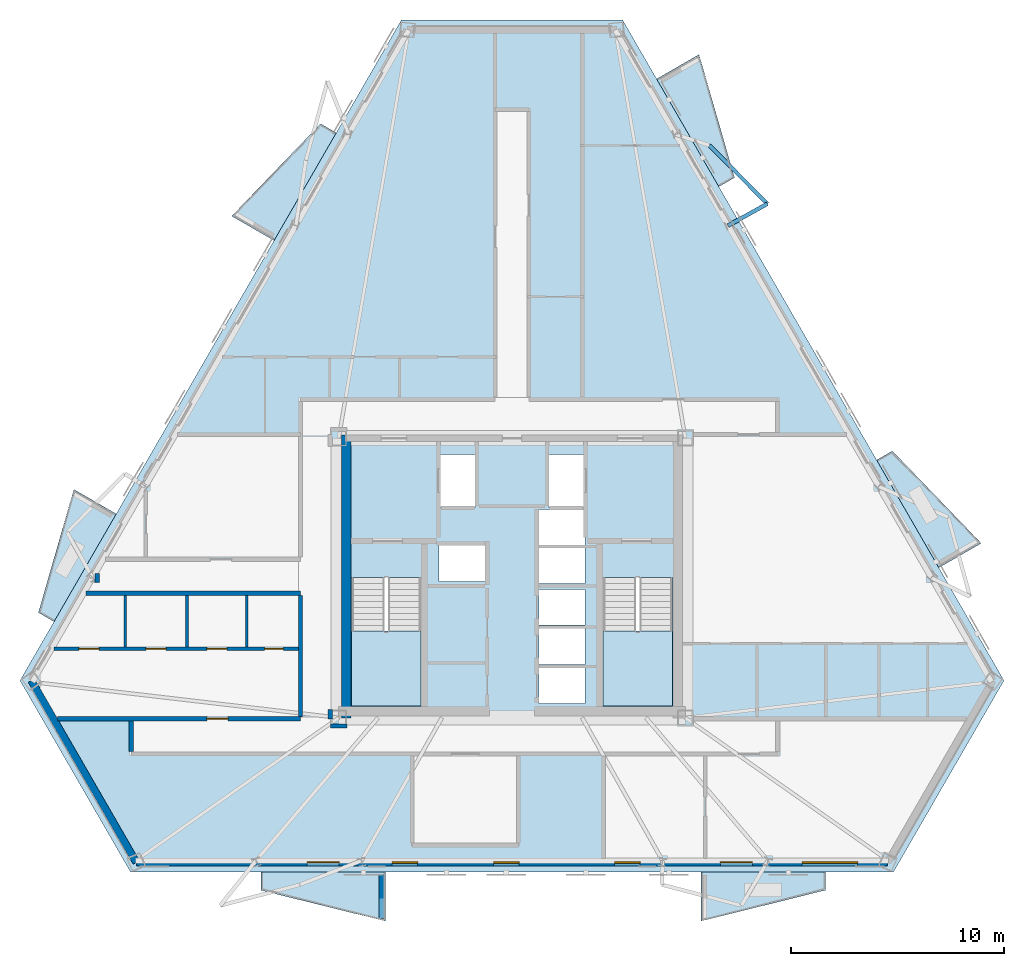
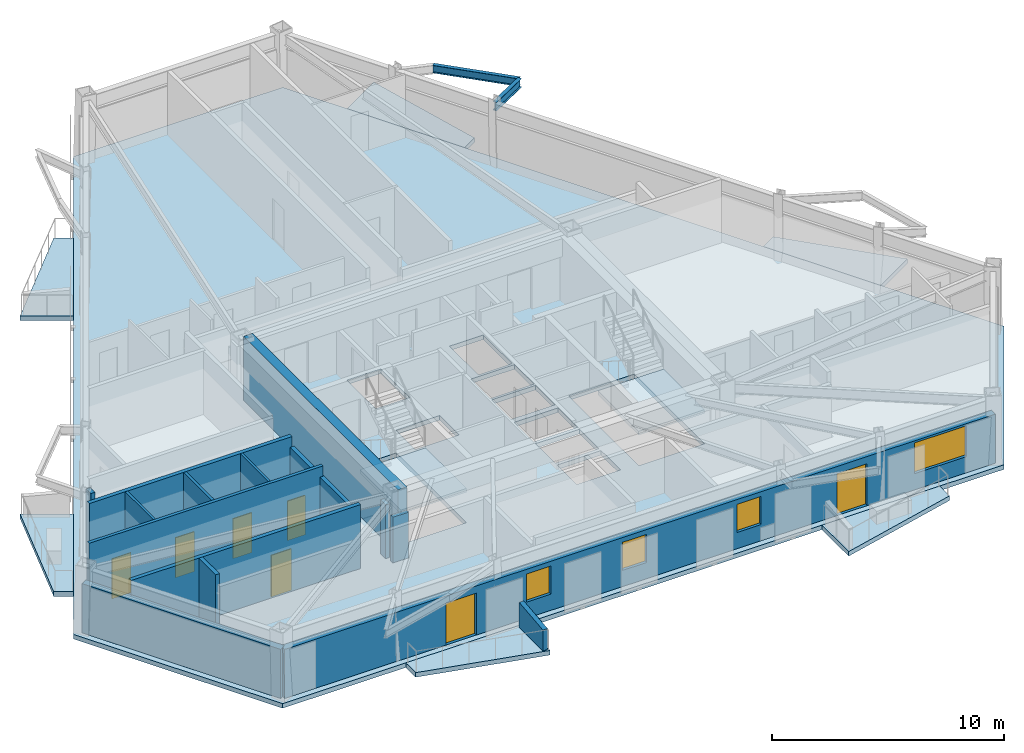
# One storey, part 2 of 9: 15 walls, 9 slabs, 7 doors, 4 windows, 2 beams, 11 openings, 2 elements without a shape of their own.
"""IFC4 building model written with IfcOpenShell, lengths in metres."""

from ifc_helpers import new_model, si_unit, direction, frame, frame_2d, origin, origin_2d, place, context, subcontext, project, spatial, polyline, rectangle, i_section, outline, extrude, material, layer, layer_set, material_profile, profile_set, type_object, element, fill, aggregate, save


model = new_model("IFC4")

# Units and contexts
model_context = context("Model", 3, precision=1e-05, world=origin(), true_north=direction((0.0, 1.0)))
body_context = subcontext(model_context, "Body", "Model", "MODEL_VIEW")
ifc_project = project(units=[si_unit("LENGTHUNIT", "METRE"), si_unit("AREAUNIT", "SQUARE_METRE"), si_unit("VOLUMEUNIT", "CUBIC_METRE"), si_unit("PLANEANGLEUNIT", "RADIAN"), si_unit("MASSUNIT", "GRAM", prefix="KILO")], contexts=[model_context])

# Site, building, storey
site_placement = place(None, origin())
site = spatial("IfcSite", under=ifc_project, at=site_placement, CompositionType="ELEMENT")
building_placement = place(site_placement, origin())
building = spatial("IfcBuilding", under=site, at=building_placement, Name="Oramaril Tower", CompositionType="ELEMENT")
storey_placement = place(building_placement, frame((0.0, 0.0, 142.199951171875)))
storey = spatial("IfcBuildingStorey", under=building, at=storey_placement, Name="L37", CompositionType="ELEMENT", Elevation=142.199951171875)

# Beams
ifc_material_1 = material(Name="Steel ASTM A572 Gr 50", Category="steel")
ifc_material_profile_1 = material_profile(ifc_material_1, i_section(OverallWidth=0.19091796875, OverallDepth=0.45703125, WebThickness=0.009033203125, FlangeThickness=0.014404296875, at=origin_2d()), Name="W18X50")
ifc_profile_set_1 = profile_set([ifc_material_profile_1], Name="Steel ASTM A572 Gr 50")
beam_type_1 = type_object("IfcBeamType", Name="BT-BB1", PredefinedType="BEAM", material=ifc_profile_set_1)
beam_1_placement = place(storey_placement, frame((47.6611328125, 34.142578125, 3.131591796875), z_axis=(0.874277417442, 0.485426613764, 0.0), x_axis=(-0.485426613764, 0.874277417442, 0.0)))
element("IfcBeam", 1, at=beam_1_placement, inside=storey, type_object=beam_type_1, Name="L37 Balcony Column-Framed Cantilever 04.1", PredefinedType="BEAM", context=body_context, shape_type="SweptSolid", body=[
    extrude(i_section(OverallWidth=0.19091796875, OverallDepth=0.45703125, WebThickness=0.009033203125, FlangeThickness=0.014404296875, at=origin_2d()), origin(), (0.0, 0.0, 1.0), 2.1083984375),
])
ifc_material_2 = material(Name="Steel ASTM A572 Gr 50", Category="steel")
ifc_material_profile_2 = material_profile(ifc_material_2, i_section(OverallWidth=0.177978515625, OverallDepth=0.404052734375, WebThickness=0.007568359375, FlangeThickness=0.010986328125, at=origin_2d()), Name="W16X36")
ifc_profile_set_2 = profile_set([ifc_material_profile_2], Name="Steel ASTM A572 Gr 50")
beam_type_2 = type_object("IfcBeamType", Name="BT-SB1", PredefinedType="BEAM", material=ifc_profile_set_2)
beam_2_placement = place(storey_placement, frame((49.50439453125, 35.166015625, 3.157958984375), z_axis=(-0.702994511648, 0.71119527318, 0.0), x_axis=(-0.71119527318, -0.702994511648, 0.0)))
element("IfcBeam", 2, at=beam_2_placement, inside=storey, type_object=beam_type_2, Name="L37 Balcony Edge Tie Beam 04", PredefinedType="BEAM", context=body_context, shape_type="SweptSolid", body=[
    extrude(i_section(OverallWidth=0.177978515625, OverallDepth=0.404052734375, WebThickness=0.007568359375, FlangeThickness=0.010986328125, at=origin_2d()), origin(), (0.0, 0.0, 1.0), 3.8701171875),
])

# Slabs
ifc_material_3 = material(Name="Concrete C40/50", Category="concrete")
ifc_layer_1 = layer(ifc_material_3, 0.199951171875)
ifc_layer_set_1 = layer_set([ifc_layer_1], Name="SLT-BAL20")
slab_type_1 = type_object("IfcSlabType", Name="SLT-BAL20", PredefinedType="FLOOR", material=ifc_layer_set_1)
slab_1_placement = place(storey_placement, frame((0.0, 0.0, -0.239990234375)))
element("IfcSlab", 3, at=slab_1_placement, inside=storey, type_object=slab_type_1, Name="L37 Cantilevered Balcony Slab L37-BAL-S1", PredefinedType="FLOOR", context=body_context, shape_type="SweptSolid", body=[
    extrude(outline(polyline([(25.6923828125, 3.7421875), (31.542236328125, 3.7421875), (31.542236328125, 1.440185546875), (25.6923828125, 2.89013671875), (25.6923828125, 3.7421875)])), origin(), (0.0, 0.0, 1.0), 0.239990234375),
])
slab_2_placement = place(storey_placement, frame((0.0, 0.0, -0.239990234375)))
element("IfcSlab", 4, at=slab_2_placement, inside=storey, type_object=slab_type_1, Name="L37 Cantilevered Balcony Slab L37-BAL-NE2", PredefinedType="FLOOR", context=body_context, shape_type="SweptSolid", body=[
    extrude(outline(polyline([(47.22509765625, 35.9716796875), (44.300048828125, 41.037841796875), (46.293701171875, 42.188720703125), (47.962890625, 36.397705078125), (47.22509765625, 35.9716796875)])), origin(), (0.0, 0.0, 1.0), 0.239990234375),
])
slab_3_placement = place(storey_placement, frame((0.0, 0.0, -0.239990234375)))
element("IfcSlab", 5, at=slab_3_placement, inside=storey, type_object=slab_type_1, Name="L37 Cantilevered Balcony Slab L37-BAL-NW1", PredefinedType="FLOOR", context=body_context, shape_type="SweptSolid", body=[
    extrude(outline(polyline([(29.237548828125, 38.504638671875), (26.3125, 33.4384765625), (24.31884765625, 34.58935546875), (28.499755859375, 38.9306640625), (29.237548828125, 38.504638671875)])), origin(), (0.0, 0.0, 1.0), 0.239990234375),
])
ifc_material_4 = material(Name="Concrete C50/60", Category="concrete")
ifc_layer_2 = layer(ifc_material_4, 0.239990234375)
ifc_layer_set_2 = layer_set([ifc_layer_2], Name="SLT-FLR24")
slab_type_2 = type_object("IfcSlabType", Name="SLT-FLR24", PredefinedType="FLOOR", material=ifc_layer_set_2)
slab_4_placement = place(storey_placement, frame((0.0, 0.0, -0.239990234375)))
element("IfcSlab", 6, at=slab_4_placement, inside=storey, type_object=slab_type_2, Name="L37 Structural Floor Slab", PredefinedType="FLOOR", context=body_context, shape_type="SweptSolid", body=[
    extrude(outline(polyline([(14.365478515625, 12.749755859375), (19.5673828125, 3.739990234375), (55.4326171875, 3.739990234375), (60.634521484375, 12.749755859375), (42.70166015625, 43.81005859375), (32.29833984375, 43.81005859375), (14.365478515625, 12.749755859375)]), holes=[polyline([(29.949951171875, 17.58935546875), (29.949951171875, 11.550048828125), (33.219970703125, 11.550048828125), (33.219970703125, 17.58935546875), (29.949951171875, 17.58935546875)]), polyline([(41.780029296875, 17.58935546875), (41.780029296875, 11.550048828125), (45.050048828125, 11.550048828125), (45.050048828125, 17.58935546875), (41.780029296875, 17.58935546875)]), polyline([(34.110107421875, 20.909912109375), (35.7900390625, 20.909912109375), (35.7900390625, 23.389892578125), (34.110107421875, 23.389892578125), (34.110107421875, 20.909912109375)]), polyline([(39.2099609375, 20.909912109375), (40.889892578125, 20.909912109375), (40.889892578125, 23.389892578125), (39.2099609375, 23.389892578125), (39.2099609375, 20.909912109375)]), polyline([(38.760009765625, 11.659912109375), (40.93994140625, 11.659912109375), (40.93994140625, 13.340087890625), (38.760009765625, 13.340087890625), (38.760009765625, 11.659912109375)]), polyline([(38.760009765625, 13.510009765625), (40.93994140625, 13.510009765625), (40.93994140625, 15.18994140625), (38.760009765625, 15.18994140625), (38.760009765625, 13.510009765625)]), polyline([(38.760009765625, 15.360107421875), (40.93994140625, 15.360107421875), (40.93994140625, 17.0400390625), (38.760009765625, 17.0400390625), (38.760009765625, 15.360107421875)]), polyline([(34.06005859375, 17.409912109375), (36.239990234375, 17.409912109375), (36.239990234375, 19.090087890625), (34.06005859375, 19.090087890625), (34.06005859375, 17.409912109375)]), polyline([(38.760009765625, 17.31005859375), (40.93994140625, 17.31005859375), (40.93994140625, 18.989990234375), (38.760009765625, 18.989990234375), (38.760009765625, 17.31005859375)]), polyline([(38.760009765625, 19.110107421875), (40.93994140625, 19.110107421875), (40.93994140625, 20.7900390625), (38.760009765625, 20.7900390625), (38.760009765625, 19.110107421875)])]), origin(), (0.0, 0.0, 1.0), 0.239990234375),
])

# Stair, slab
ifc_material_5 = material(Name="Concrete C50/60", Category="concrete")
stair_type = type_object("IfcStairType", Name="STT-DG-3600", PredefinedType="HALF_TURN_STAIR", material=ifc_material_5)
stair_1_placement = place(storey_placement, origin())
stair_1 = element("IfcStair", 7, at=stair_1_placement, inside=storey, type_object=stair_type, Name="L37 Protected PFP Exit Stair ST-1", PredefinedType="HALF_TURN_STAIR")
ifc_material_6 = material(Name="Concrete C50/60", Category="concrete")
ifc_layer_3 = layer(ifc_material_6, 0.199951171875)
ifc_layer_set_3 = layer_set([ifc_layer_3], Name="SLT-LND20")
slab_type_3 = type_object("IfcSlabType", Name="SLT-LND20", PredefinedType="LANDING", material=ifc_layer_set_3)
slab_5_placement = place(storey_placement, frame((0.0, 0.0, 1.60009765625)))
slab_5 = element("IfcSlab", 8, at=slab_5_placement, type_object=slab_type_3, Name="ST-1 landing 1", PredefinedType="LANDING", context=body_context, shape_type="SweptSolid", body=[
    extrude(outline(polyline([(29.949951171875, 15.070068359375), (29.949951171875, 11.550048828125), (33.219970703125, 11.550048828125), (33.219970703125, 15.070068359375), (29.949951171875, 15.070068359375)])), origin(), (0.0, 0.0, 1.0), 0.199951171875),
])
aggregate(stair_1, [slab_5])

stair_2_placement = place(storey_placement, origin())
stair_2 = element("IfcStair", 9, at=stair_2_placement, inside=storey, type_object=stair_type, Name="L37 Protected PFP Exit Stair ST-2", PredefinedType="HALF_TURN_STAIR")
slab_6_placement = place(storey_placement, frame((0.0, 0.0, 1.60009765625)))
slab_6 = element("IfcSlab", 10, at=slab_6_placement, type_object=slab_type_3, Name="ST-2 landing 1", PredefinedType="LANDING", context=body_context, shape_type="SweptSolid", body=[
    extrude(outline(polyline([(41.780029296875, 15.070068359375), (41.780029296875, 11.550048828125), (45.050048828125, 11.550048828125), (45.050048828125, 15.070068359375), (41.780029296875, 15.070068359375)])), origin(), (0.0, 0.0, 1.0), 0.199951171875),
])
aggregate(stair_2, [slab_6])

# Slabs
ifc_material_7 = material(Name="Concrete C40/50", Category="concrete")
ifc_layer_4 = layer(ifc_material_7, 0.18994140625)
ifc_layer_set_4 = layer_set([ifc_layer_4], Name="SLT-PLN19")
slab_type_4 = type_object("IfcSlabType", Name="SLT-PLN19", PredefinedType="FLOOR", material=ifc_layer_set_4)
slab_7_placement = place(storey_placement, frame((0.0, 0.0, -0.239990234375)))
element("IfcSlab", 11, at=slab_7_placement, inside=storey, type_object=slab_type_4, Name="L37 Tree Planter Balcony Slab L37-BAL-S2", PredefinedType="FLOOR", context=body_context, shape_type="SweptSolid", body=[
    extrude(outline(polyline([(46.3828125, 3.7421875), (52.232666015625, 3.7421875), (52.232666015625, 2.89013671875), (46.3828125, 1.440185546875), (46.3828125, 3.7421875)])), origin(), (0.0, 0.0, 1.0), 0.239990234375),
])
slab_8_placement = place(storey_placement, frame((0.0, 0.0, -0.239990234375)))
element("IfcSlab", 12, at=slab_8_placement, inside=storey, type_object=slab_type_4, Name="L37 Tree Planter Balcony Slab L37-BAL-NE1", PredefinedType="FLOOR", context=body_context, shape_type="SweptSolid", body=[
    extrude(outline(polyline([(57.5703125, 18.052978515625), (54.645263671875, 23.119384765625), (55.383056640625, 23.54541015625), (59.563720703125, 19.2041015625), (57.5703125, 18.052978515625)])), origin(), (0.0, 0.0, 1.0), 0.239990234375),
])
slab_9_placement = place(storey_placement, frame((0.0, 0.0, -0.239990234375)))
element("IfcSlab", 13, at=slab_9_placement, inside=storey, type_object=slab_type_4, Name="L37 Tree Planter Balcony Slab L37-BAL-NW2", PredefinedType="FLOOR", context=body_context, shape_type="SweptSolid", body=[
    extrude(outline(polyline([(18.892333984375, 20.586181640625), (15.96728515625, 15.52001953125), (15.2294921875, 15.946044921875), (16.898681640625, 21.7373046875), (18.892333984375, 20.586181640625)])), origin(), (0.0, 0.0, 1.0), 0.239990234375),
])

# Wall
ifc_material_8 = material(Name="Warm Cream Limestone", Category="masonry")
ifc_layer_5 = layer(ifc_material_8, 0.340087890625)
ifc_layer_set_5 = layer_set([ifc_layer_5], Name="WT-EXT34")
wall_type_1 = type_object("IfcWallType", Name="WT-EXT34", PredefinedType="SOLIDWALL", material=ifc_layer_set_5)
wall_1_placement = place(storey_placement, frame((14.896728515625, 12.749755859375, 0.0), z_axis=(0.0, 0.0, 1.0), x_axis=(0.500014298586, -0.866017148335, 0.0)))
element("IfcWall", 14, at=wall_1_placement, inside=storey, type_object=wall_type_1, Name="L37 Tower Limestone Facade Wall 1M", PredefinedType="SOLIDWALL", context=body_context, shape_type="SweptSolid", body=[
    extrude(rectangle(XDim=9.872314453125, YDim=0.340087890625, at=frame_2d((4.93603515625, 0.0))), origin(), (0.0, 0.0, 1.0), 2.580078125),
])

# Wall, openings, doors, windows
wall_2_placement = place(storey_placement, frame((19.8330078125, 4.2001953125, 0.0), z_axis=(0.0, 0.0, 1.0), x_axis=(1.0, 0.0, 0.0)))
wall_2 = element("IfcWall", 15, at=wall_2_placement, inside=storey, type_object=wall_type_1, Name="L37 Tower Limestone Facade Wall 2M", PredefinedType="SOLIDWALL", context=body_context, shape_type="SweptSolid", body=[
    extrude(rectangle(XDim=35.333984375, YDim=0.340087890625, at=frame_2d((17.6669921875, 0.0))), origin(), (0.0, 0.0, 1.0), 2.580078125),
])
opening_1_placement = place(wall_2_placement, frame((8.034423828125, 0.0, 0.0)))
opening_1 = element("IfcOpeningElement", 16, at=opening_1_placement, cuts=wall_2, Name="Opening D-L37-BAL-S1", PredefinedType="OPENING", context=body_context, shape_type="SweptSolid", body=[
    extrude(rectangle(XDim=1.5, YDim=2.199951171875, at=frame_2d((0.75, 1.10009765625))), frame((0.0, 0.169921875, 0.0), z_axis=(0.0, -1.0, 0.0), x_axis=(1.0, 0.0, 0.0)), (0.0, 0.0, 1.0), 0.340087890625),
])
opening_2_placement = place(wall_2_placement, frame((27.46484375, 0.0, 0.0)))
opening_2 = element("IfcOpeningElement", 17, at=opening_2_placement, cuts=wall_2, Name="Opening D-L37-BAL-S2", PredefinedType="OPENING", context=body_context, shape_type="SweptSolid", body=[
    extrude(rectangle(XDim=1.5, YDim=2.199951171875, at=frame_2d((0.75, 1.10009765625))), frame((0.0, 0.169921875, 0.0), z_axis=(0.0, -1.0, 0.0), x_axis=(1.0, 0.0, 0.0)), (0.0, 0.0, 1.0), 0.340087890625),
])
opening_3_placement = place(wall_2_placement, frame((12.033447265625, 0.0, 0.85009765625)))
opening_3 = element("IfcOpeningElement", 18, at=opening_3_placement, cuts=wall_2, Name="Opening WN-09", PredefinedType="OPENING", context=body_context, shape_type="SweptSolid", body=[
    extrude(rectangle(XDim=1.199951171875, YDim=1.47998046875, at=frame_2d((0.60009765625, 0.739990234375))), frame((0.0, 0.169921875, 0.0), z_axis=(0.0, -1.0, 0.0), x_axis=(1.0, 0.0, 0.0)), (0.0, 0.0, 1.0), 0.340087890625),
])
opening_4_placement = place(wall_2_placement, frame((16.797119140625, 0.0, 0.85009765625)))
opening_4 = element("IfcOpeningElement", 19, at=opening_4_placement, cuts=wall_2, Name="Opening WN-09", PredefinedType="OPENING", context=body_context, shape_type="SweptSolid", body=[
    extrude(rectangle(XDim=1.199951171875, YDim=1.47998046875, at=frame_2d((0.60009765625, 0.739990234375))), frame((0.0, 0.169921875, 0.0), z_axis=(0.0, -1.0, 0.0), x_axis=(1.0, 0.0, 0.0)), (0.0, 0.0, 1.0), 0.340087890625),
])
opening_5_placement = place(wall_2_placement, frame((31.313232421875, 0.0, 0.85009765625)))
opening_5 = element("IfcOpeningElement", 20, at=opening_5_placement, cuts=wall_2, Name="Opening WN-02", PredefinedType="OPENING", context=body_context, shape_type="SweptSolid", body=[
    extrude(rectangle(XDim=2.60009765625, YDim=1.6201171875, at=frame_2d((1.300048828125, 0.81005859375))), frame((0.0, 0.169921875, 0.0), z_axis=(0.0, -1.0, 0.0), x_axis=(1.0, 0.0, 0.0)), (0.0, 0.0, 1.0), 0.340087890625),
])
opening_6_placement = place(wall_2_placement, frame((22.490966796875, 0.0, 0.85009765625)))
opening_6 = element("IfcOpeningElement", 21, at=opening_6_placement, cuts=wall_2, Name="Opening WN-09", PredefinedType="OPENING", context=body_context, shape_type="SweptSolid", body=[
    extrude(rectangle(XDim=1.199951171875, YDim=1.47998046875, at=frame_2d((0.60009765625, 0.739990234375))), frame((0.0, 0.169921875, 0.0), z_axis=(0.0, -1.0, 0.0), x_axis=(1.0, 0.0, 0.0)), (0.0, 0.0, 1.0), 0.340087890625),
])
ifc_material_9 = material(Name="Anodised Aluminium 6063-T6", Category="aluminium")
door_type_1 = type_object("IfcDoorType", Name="DT-BAL", OperationType="NOTDEFINED", PredefinedType="DOOR", material=ifc_material_9)
door_1_placement = place(opening_1_placement, origin())
door_1 = element("IfcDoor", 22, at=door_1_placement, inside=storey, type_object=door_type_1, Name="L37 Balcony Glazed Door L37-BAL-S1", OperationType="SINGLE_SWING_RIGHT", OverallHeight=2.199951171875, OverallWidth=1.5, PredefinedType="DOOR", context=body_context, shape_type="SweptSolid", body=[
    extrude(rectangle(XDim=1.5, YDim=2.199951171875, at=frame_2d((0.75, 1.10009765625))), frame((0.0, 0.02490234375, 0.0), z_axis=(0.0, -1.0, 0.0), x_axis=(1.0, 0.0, 0.0)), (0.0, 0.0, 1.0), 0.050048828125),
])
fill(opening_1, door_1)
door_2_placement = place(opening_2_placement, origin())
door_2 = element("IfcDoor", 23, at=door_2_placement, inside=storey, type_object=door_type_1, Name="L37 Balcony Glazed Door L37-BAL-S2", OperationType="SINGLE_SWING_LEFT", OverallHeight=2.199951171875, OverallWidth=1.5, PredefinedType="DOOR", context=body_context, shape_type="SweptSolid", body=[
    extrude(rectangle(XDim=1.5, YDim=2.199951171875, at=frame_2d((0.75, 1.10009765625))), frame((0.0, 0.02490234375, 0.0), z_axis=(0.0, -1.0, 0.0), x_axis=(1.0, 0.0, 0.0)), (0.0, 0.0, 1.0), 0.050048828125),
])
fill(opening_2, door_2)
ifc_material_10 = material(Name="Coastal Low-E Insulated Glass", Category="glass")
window_type_1 = type_object("IfcWindowType", Name="WNT-02", PartitioningType="SINGLE_PANEL", PredefinedType="WINDOW", material=ifc_material_10)
window_1_placement = place(opening_5_placement, origin())
window_1 = element("IfcWindow", 24, at=window_1_placement, inside=storey, type_object=window_type_1, Name="L37 Chicago Bay Window WN-02", OverallHeight=1.6201171875, OverallWidth=2.60009765625, PartitioningType="SINGLE_PANEL", PredefinedType="WINDOW", context=body_context, shape_type="SweptSolid", body=[
    extrude(rectangle(XDim=2.60009765625, YDim=1.6201171875, at=frame_2d((1.300048828125, 0.81005859375))), frame((0.0, 0.030029296875, 0.0), z_axis=(0.0, -1.0, 0.0), x_axis=(1.0, 0.0, 0.0)), (0.0, 0.0, 1.0), 0.06005859375),
])
fill(opening_5, window_1)
ifc_material_11 = material(Name="Coastal Low-E Insulated Glass", Category="glass")
window_type_2 = type_object("IfcWindowType", Name="WNT-09", PartitioningType="SINGLE_PANEL", PredefinedType="WINDOW", material=ifc_material_11)
window_2_placement = place(opening_3_placement, origin())
window_2 = element("IfcWindow", 25, at=window_2_placement, inside=storey, type_object=window_type_2, Name="L37 Chicago Bay Window WN-09", OverallHeight=1.47998046875, OverallWidth=1.199951171875, PartitioningType="SINGLE_PANEL", PredefinedType="WINDOW", context=body_context, shape_type="SweptSolid", body=[
    extrude(rectangle(XDim=1.199951171875, YDim=1.47998046875, at=frame_2d((0.60009765625, 0.739990234375))), frame((0.0, 0.030029296875, 0.0), z_axis=(0.0, -1.0, 0.0), x_axis=(1.0, 0.0, 0.0)), (0.0, 0.0, 1.0), 0.06005859375),
])
fill(opening_3, window_2)
window_3_placement = place(opening_4_placement, origin())
window_3 = element("IfcWindow", 26, at=window_3_placement, inside=storey, type_object=window_type_2, Name="L37 Chicago Bay Window WN-09", OverallHeight=1.47998046875, OverallWidth=1.199951171875, PartitioningType="SINGLE_PANEL", PredefinedType="WINDOW", context=body_context, shape_type="SweptSolid", body=[
    extrude(rectangle(XDim=1.199951171875, YDim=1.47998046875, at=frame_2d((0.60009765625, 0.739990234375))), frame((0.0, 0.030029296875, 0.0), z_axis=(0.0, -1.0, 0.0), x_axis=(1.0, 0.0, 0.0)), (0.0, 0.0, 1.0), 0.06005859375),
])
fill(opening_4, window_3)
window_4_placement = place(opening_6_placement, origin())
window_4 = element("IfcWindow", 27, at=window_4_placement, inside=storey, type_object=window_type_2, Name="L37 Chicago Bay Window WN-09", OverallHeight=1.47998046875, OverallWidth=1.199951171875, PartitioningType="SINGLE_PANEL", PredefinedType="WINDOW", context=body_context, shape_type="SweptSolid", body=[
    extrude(rectangle(XDim=1.199951171875, YDim=1.47998046875, at=frame_2d((0.60009765625, 0.739990234375))), frame((0.0, 0.030029296875, 0.0), z_axis=(0.0, -1.0, 0.0), x_axis=(1.0, 0.0, 0.0)), (0.0, 0.0, 1.0), 0.06005859375),
])
fill(opening_6, window_4)

# Walls
ifc_material_12 = material(Name="Concrete C40/50", Category="concrete")
ifc_layer_6 = layer(ifc_material_12, 0.22998046875)
ifc_layer_set_6 = layer_set([ifc_layer_6], Name="WT-PRP23")
wall_type_2 = type_object("IfcWallType", Name="WT-PRP23", PredefinedType="PARAPET", material=ifc_layer_set_6)
wall_3_placement = place(storey_placement, frame((31.3623046875, 3.60205078125, 0.0), z_axis=(0.0, 0.0, 1.0), x_axis=(0.0, -1.0, 0.0)))
element("IfcWall", 28, at=wall_3_placement, inside=storey, type_object=wall_type_2, Name="L37 Trapezoidal Balcony Frame Cheek L37-BAL-S1-R", PredefinedType="PARAPET", context=body_context, shape_type="SweptSolid", body=[
    extrude(outline(polyline([(0.0, 0.0), (2.0419921875, 0.0), (2.0419921875, 1.10009765625), (0.0, 1.320068359375), (0.0, 0.0)])), frame((0.0, 0.114990234375, 0.0), z_axis=(0.0, -1.0, 0.0), x_axis=(1.0, 0.0, 0.0)), (0.0, 0.0, 1.0), 0.22998046875),
])
ifc_material_13 = material(Name="Acoustic Gypsum Board Partition")
ifc_layer_7 = layer(ifc_material_13, 0.1201171875)
ifc_layer_set_7 = layer_set([ifc_layer_7], Name="WT-PT12")
wall_type_3 = type_object("IfcWallType", Name="WT-PT12", PredefinedType="PARTITIONING", material=ifc_layer_set_7)
for number, where, z_axis, x_axis, name in (
    (29, (19.31005859375, 14.333984375, 0.0), (0.0, 0.0, 1.0), (0.0, 1.0, 0.0), "L37 Interior Partition PT-12"),
    (30, (25.030029296875, 14.333984375, 0.0), (0.0, 0.0, 1.0), (0.0, 1.0, 0.0), "L37 Interior Partition PT-12"),
):
    element("IfcWall", number, at=place(storey_placement, frame(where, z_axis=z_axis, x_axis=x_axis)), inside=storey, type_object=wall_type_3, Name=name, PredefinedType="PARTITIONING", context=body_context, shape_type="SweptSolid", body=[
        extrude(rectangle(XDim=2.412109375, YDim=0.1201171875, at=frame_2d((1.2060546875, 0.0))), origin(), (0.0, 0.0, 1.0), 3.360107421875),
    ])
ifc_material_14 = material(Name="Acoustic Gypsum Board Partition")
ifc_layer_8 = layer(ifc_material_14, 0.139892578125)
ifc_layer_set_8 = layer_set([ifc_layer_8], Name="WT-PT14")
wall_type_4 = type_object("IfcWallType", Name="WT-PT14", PredefinedType="PARTITIONING", material=ifc_layer_set_8)
wall_4_placement = place(storey_placement, frame((22.219970703125, 14.333984375, 0.0), z_axis=(0.0, 0.0, 1.0), x_axis=(0.0, 1.0, 0.0)))
element("IfcWall", 31, at=wall_4_placement, inside=storey, type_object=wall_type_4, Name="L37 Interior Partition PT-14", PredefinedType="PARTITIONING", context=body_context, shape_type="SweptSolid", body=[
    extrude(rectangle(XDim=2.412109375, YDim=0.139892578125, at=frame_2d((1.2060546875, 0.0))), origin(), (0.0, 0.0, 1.0), 3.360107421875),
])

# Wall, openings, doors
ifc_material_15 = material(Name="Acoustic Gypsum Board Partition")
ifc_layer_9 = layer(ifc_material_15, 0.159912109375)
ifc_layer_set_9 = layer_set([ifc_layer_9], Name="WT-PT16")
wall_type_5 = type_object("IfcWallType", Name="WT-PT16", PredefinedType="PARTITIONING", material=ifc_layer_set_9)
wall_5_placement = place(storey_placement, frame((15.9638671875, 14.25, 0.0), z_axis=(0.0, 0.0, 1.0), x_axis=(1.0, 0.0, 0.0)))
wall_5 = element("IfcWall", 32, at=wall_5_placement, inside=storey, type_object=wall_type_5, Name="L37 Interior Partition PT-16", PredefinedType="PARTITIONING", context=body_context, shape_type="SweptSolid", body=[
    extrude(rectangle(XDim=11.63623046875, YDim=0.159912109375, at=frame_2d((5.818115234375, 0.0))), origin(), (0.0, 0.0, 1.0), 3.360107421875),
])
opening_7_placement = place(wall_5_placement, frame((1.172607421875, 0.0, 0.0)))
opening_7 = element("IfcOpeningElement", 33, at=opening_7_placement, cuts=wall_5, Name="Opening D-L37-04", PredefinedType="OPENING", context=body_context, shape_type="SweptSolid", body=[
    extrude(rectangle(XDim=0.949951171875, YDim=2.10009765625, at=frame_2d((0.47509765625, 1.050048828125))), frame((0.0, 0.080078125, 0.0), z_axis=(0.0, -1.0, 0.0), x_axis=(1.0, 0.0, 0.0)), (0.0, 0.0, 1.0), 0.159912109375),
])
opening_8_placement = place(wall_5_placement, frame((4.325927734375, 0.0, 0.0)))
opening_8 = element("IfcOpeningElement", 34, at=opening_8_placement, cuts=wall_5, Name="Opening D-L37-05", PredefinedType="OPENING", context=body_context, shape_type="SweptSolid", body=[
    extrude(rectangle(XDim=0.949951171875, YDim=2.10009765625, at=frame_2d((0.47509765625, 1.050048828125))), frame((0.0, 0.080078125, 0.0), z_axis=(0.0, -1.0, 0.0), x_axis=(1.0, 0.0, 0.0)), (0.0, 0.0, 1.0), 0.159912109375),
])
opening_9_placement = place(wall_5_placement, frame((7.183837890625, 0.0, 0.0)))
opening_9 = element("IfcOpeningElement", 35, at=opening_9_placement, cuts=wall_5, Name="Opening D-L37-06", PredefinedType="OPENING", context=body_context, shape_type="SweptSolid", body=[
    extrude(rectangle(XDim=0.949951171875, YDim=2.10009765625, at=frame_2d((0.47509765625, 1.050048828125))), frame((0.0, 0.080078125, 0.0), z_axis=(0.0, -1.0, 0.0), x_axis=(1.0, 0.0, 0.0)), (0.0, 0.0, 1.0), 0.159912109375),
])
opening_10_placement = place(wall_5_placement, frame((9.901123046875, 0.0, 0.0)))
opening_10 = element("IfcOpeningElement", 36, at=opening_10_placement, cuts=wall_5, Name="Opening D-L37-07", PredefinedType="OPENING", context=body_context, shape_type="SweptSolid", body=[
    extrude(rectangle(XDim=0.8798828125, YDim=2.080078125, at=frame_2d((0.43994140625, 1.0400390625))), frame((0.0, 0.080078125, 0.0), z_axis=(0.0, -1.0, 0.0), x_axis=(1.0, 0.0, 0.0)), (0.0, 0.0, 1.0), 0.159912109375),
])
ifc_material_16 = material(Name="FSC Brazilian Freijo Hardwood", Category="wood")
door_type_2 = type_object("IfcDoorType", Name="DT-BATH", OperationType="NOTDEFINED", PredefinedType="DOOR", material=ifc_material_16)
door_3_placement = place(opening_10_placement, origin())
door_3 = element("IfcDoor", 37, at=door_3_placement, inside=storey, type_object=door_type_2, Name="L37 Flat L37-U3 Bathroom Door D-L37-07", OperationType="SINGLE_SWING_RIGHT", OverallHeight=2.080078125, OverallWidth=0.8798828125, PredefinedType="DOOR", context=body_context, shape_type="SweptSolid", body=[
    extrude(rectangle(XDim=0.8798828125, YDim=2.080078125, at=frame_2d((0.43994140625, 1.0400390625))), frame((0.0, 0.02490234375, 0.0), z_axis=(0.0, -1.0, 0.0), x_axis=(1.0, 0.0, 0.0)), (0.0, 0.0, 1.0), 0.050048828125),
])
fill(opening_10, door_3)
ifc_material_17 = material(Name="FSC Brazilian Freijo Hardwood", Category="wood")
door_type_3 = type_object("IfcDoorType", Name="DT-STDY", OperationType="NOTDEFINED", PredefinedType="DOOR", material=ifc_material_17)
door_4_placement = place(opening_7_placement, origin())
door_4 = element("IfcDoor", 38, at=door_4_placement, inside=storey, type_object=door_type_3, Name="L37 Flat L37-U3 Breakfast Dining Room Door D-L37-04", OperationType="SINGLE_SWING_LEFT", OverallHeight=2.10009765625, OverallWidth=0.949951171875, PredefinedType="DOOR", context=body_context, shape_type="SweptSolid", body=[
    extrude(rectangle(XDim=0.949951171875, YDim=2.10009765625, at=frame_2d((0.47509765625, 1.050048828125))), frame((0.0, 0.02490234375, 0.0), z_axis=(0.0, -1.0, 0.0), x_axis=(1.0, 0.0, 0.0)), (0.0, 0.0, 1.0), 0.050048828125),
])
fill(opening_7, door_4)
door_5_placement = place(opening_8_placement, origin())
door_5 = element("IfcDoor", 39, at=door_5_placement, inside=storey, type_object=door_type_3, Name="L37 Flat L37-U3 Breakfast Dining Room Door D-L37-05", OperationType="SINGLE_SWING_RIGHT", OverallHeight=2.10009765625, OverallWidth=0.949951171875, PredefinedType="DOOR", context=body_context, shape_type="SweptSolid", body=[
    extrude(rectangle(XDim=0.949951171875, YDim=2.10009765625, at=frame_2d((0.47509765625, 1.050048828125))), frame((0.0, 0.02490234375, 0.0), z_axis=(0.0, -1.0, 0.0), x_axis=(1.0, 0.0, 0.0)), (0.0, 0.0, 1.0), 0.050048828125),
])
fill(opening_8, door_5)
door_6_placement = place(opening_9_placement, origin())
door_6 = element("IfcDoor", 40, at=door_6_placement, inside=storey, type_object=door_type_3, Name="L37 Flat L37-U3 Kitchen Door D-L37-06", OperationType="SINGLE_SWING_LEFT", OverallHeight=2.10009765625, OverallWidth=0.949951171875, PredefinedType="DOOR", context=body_context, shape_type="SweptSolid", body=[
    extrude(rectangle(XDim=0.949951171875, YDim=2.10009765625, at=frame_2d((0.47509765625, 1.050048828125))), frame((0.0, 0.02490234375, 0.0), z_axis=(0.0, -1.0, 0.0), x_axis=(1.0, 0.0, 0.0)), (0.0, 0.0, 1.0), 0.050048828125),
])
fill(opening_9, door_6)

# Wall
ifc_material_18 = material(Name="Autoclaved Cellular Concrete Block", Category="concrete")
ifc_layer_10 = layer(ifc_material_18, 0.199951171875)
ifc_layer_set_10 = layer_set([ifc_layer_10], Name="WT-PT20")
wall_type_6 = type_object("IfcWallType", Name="WT-PT20", PredefinedType="PARTITIONING", material=ifc_layer_set_10)
wall_6_placement = place(storey_placement, frame((28.9599609375, 10.610107421875, 0.0), z_axis=(0.0, 0.0, 1.0), x_axis=(1.0, 0.0, 0.0)))
element("IfcWall", 41, at=wall_6_placement, inside=storey, type_object=wall_type_6, Name="L37 Interior Partition PT-20", PredefinedType="PARTITIONING", context=body_context, shape_type="SweptSolid", body=[
    extrude(rectangle(XDim=0.780029296875, YDim=0.199951171875, at=frame_2d((0.39013671875, 0.0))), origin(), (0.0, 0.0, 1.0), 2.400146484375),
])

# Wall, opening, door
wall_7_placement = place(storey_placement, frame((16.13671875, 10.949951171875, 0.0), z_axis=(0.0, 0.0, 1.0), x_axis=(1.0, 0.0, 0.0)))
wall_7 = element("IfcWall", 42, at=wall_7_placement, inside=storey, type_object=wall_type_6, Name="L37 Interior Partition PT-20", PredefinedType="PARTITIONING", context=body_context, shape_type="SweptSolid", body=[
    extrude(rectangle(XDim=11.413330078125, YDim=0.199951171875, at=frame_2d((5.70654296875, 0.0))), origin(), (0.0, 0.0, 1.0), 3.360107421875),
])
opening_11_placement = place(wall_7_placement, frame((7.01220703125, 0.0, 0.0)))
opening_11 = element("IfcOpeningElement", 43, at=opening_11_placement, cuts=wall_7, Name="Opening D-L37-03", PredefinedType="OPENING", context=body_context, shape_type="SweptSolid", body=[
    extrude(rectangle(XDim=1.0, YDim=2.179931640625, at=frame_2d((0.5, 1.08984375))), frame((0.0, 0.10009765625, 0.0), z_axis=(0.0, -1.0, 0.0), x_axis=(1.0, 0.0, 0.0)), (0.0, 0.0, 1.0), 0.199951171875),
])
ifc_material_19 = material(Name="FSC Brazilian Freijo Hardwood", Category="wood")
door_type_4 = type_object("IfcDoorType", Name="DT-APT", OperationType="NOTDEFINED", PredefinedType="DOOR", material=ifc_material_19)
door_7_placement = place(opening_11_placement, origin())
door_7 = element("IfcDoor", 44, at=door_7_placement, inside=storey, type_object=door_type_4, Name="L37 Flat L37-U3 Studio Apartment Door D-L37-03", OperationType="SINGLE_SWING_RIGHT", OverallHeight=2.179931640625, OverallWidth=1.0, PredefinedType="DOOR", context=body_context, shape_type="SweptSolid", body=[
    extrude(rectangle(XDim=1.0, YDim=2.179931640625, at=frame_2d((0.5, 1.08984375))), frame((0.0, 0.02490234375, 0.0), z_axis=(0.0, -1.0, 0.0), x_axis=(1.0, 0.0, 0.0)), (0.0, 0.0, 1.0), 0.050048828125),
])
fill(opening_11, door_7)

# Walls
wall_8_placement = place(storey_placement, frame((17.465087890625, 16.85009765625, 0.0), z_axis=(0.0, 0.0, 1.0), x_axis=(1.0, 0.0, 0.0)))
element("IfcWall", 45, at=wall_8_placement, inside=storey, type_object=wall_type_6, Name="L37 Interior Partition PT-20", PredefinedType="PARTITIONING", context=body_context, shape_type="SweptSolid", body=[
    extrude(rectangle(XDim=10.0849609375, YDim=0.199951171875, at=frame_2d((5.04248046875, 0.0))), origin(), (0.0, 0.0, 1.0), 3.360107421875),
])
wall_9_placement = place(storey_placement, frame((18.0, 17.36669921875, 0.0), z_axis=(0.0, 0.0, 1.0), x_axis=(0.0, 1.0, 0.0)))
element("IfcWall", 46, at=wall_9_placement, inside=storey, type_object=wall_type_6, Name="L37 Interior Partition PT-20", PredefinedType="PARTITIONING", context=body_context, shape_type="SweptSolid", body=[
    extrude(rectangle(XDim=0.409912109375, YDim=0.199951171875, at=frame_2d((0.205078125, 0.0))), origin(), (0.0, 0.0, 1.0), 3.360107421875),
])
wall_10_placement = place(storey_placement, frame((19.60009765625, 9.404052734375, 0.0), z_axis=(0.0, 0.0, 1.0), x_axis=(0.0, 1.0, 0.0)))
element("IfcWall", 47, at=wall_10_placement, inside=storey, type_object=wall_type_6, Name="L37 Interior Partition PT-20", PredefinedType="PARTITIONING", context=body_context, shape_type="SweptSolid", body=[
    extrude(rectangle(XDim=1.44189453125, YDim=0.199951171875, at=frame_2d((0.720947265625, 0.0))), origin(), (0.0, 0.0, 1.0), 3.360107421875),
])
wall_11_placement = place(storey_placement, frame((27.550048828125, 11.053955078125, 0.0), z_axis=(0.0, 0.0, 1.0), x_axis=(0.0, 1.0, 0.0)))
element("IfcWall", 48, at=wall_11_placement, inside=storey, type_object=wall_type_6, Name="L37 Interior Partition PT-20", PredefinedType="PARTITIONING", context=body_context, shape_type="SweptSolid", body=[
    extrude(rectangle(XDim=5.692138671875, YDim=0.199951171875, at=frame_2d((2.84619140625, 0.0))), origin(), (0.0, 0.0, 1.0), 2.822021484375),
])
wall_12_placement = place(storey_placement, frame((28.949951171875, 10.949951171875, 0.0), z_axis=(0.0, 0.0, 1.0), x_axis=(0.0, 1.0, 0.0)))
element("IfcWall", 49, at=wall_12_placement, inside=storey, type_object=wall_type_6, Name="L37 Interior Partition PT-20", PredefinedType="PARTITIONING", context=body_context, shape_type="SweptSolid", body=[
    extrude(rectangle(XDim=0.445068359375, YDim=0.199951171875, at=frame_2d((0.22265625, 0.0))), origin(), (0.0, 0.0, 1.0), 2.822021484375),
])
ifc_material_20 = material(Name="Concrete C50/60", Category="concrete")
ifc_layer_11 = layer(ifc_material_20, 0.449951171875)
ifc_layer_set_11 = layer_set([ifc_layer_11], Name="WT-SH45")
wall_type_7 = type_object("IfcWallType", Name="WT-SH45", PredefinedType="SHEAR", material=ifc_layer_set_11)
wall_13_placement = place(storey_placement, frame((29.715087890625, 11.0, 0.0), z_axis=(0.0, 0.0, 1.0), x_axis=(0.0, 1.0, 0.0)))
element("IfcWall", 50, at=wall_13_placement, inside=storey, type_object=wall_type_7, Name="L37 Core Shear Wall CW-W", PredefinedType="SHEAR", context=body_context, shape_type="SweptSolid", body=[
    extrude(rectangle(XDim=13.300048828125, YDim=0.449951171875, at=frame_2d((6.64990234375, 0.0))), origin(), (0.0, 0.0, 1.0), 3.360107421875),
])

save(model, "model.ifc")
